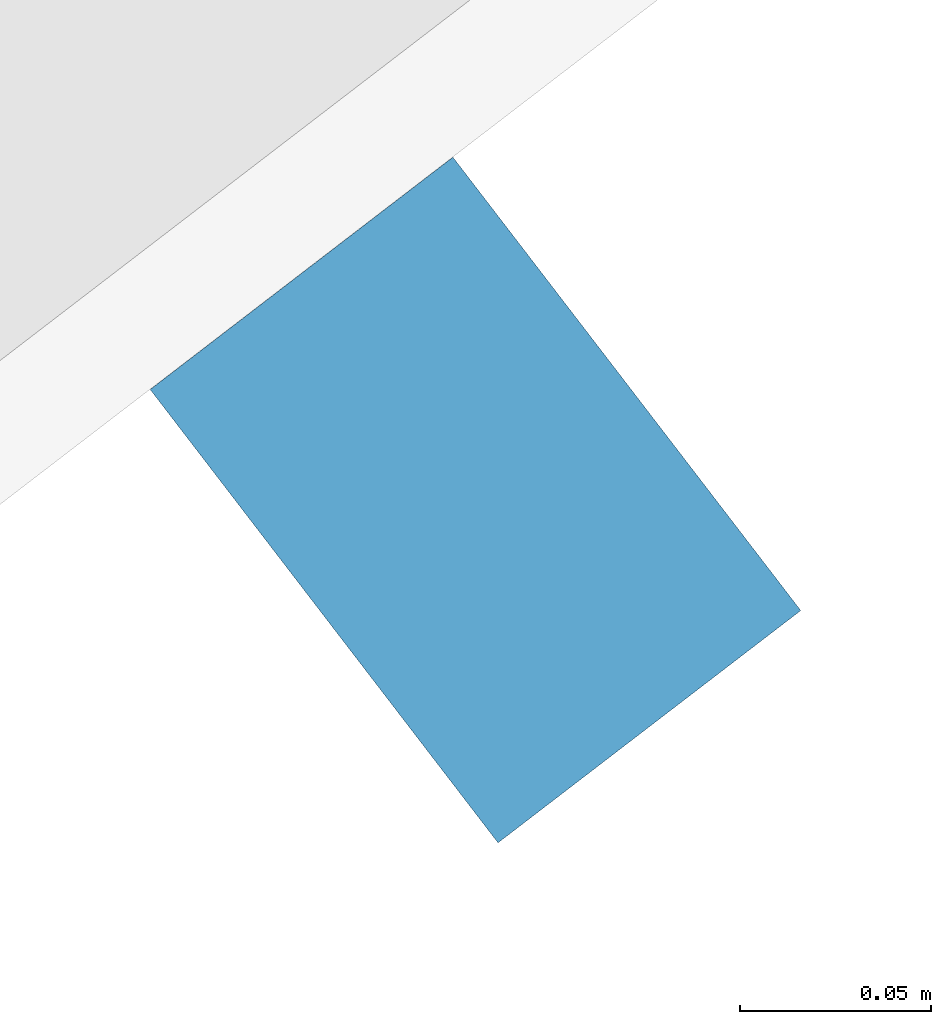
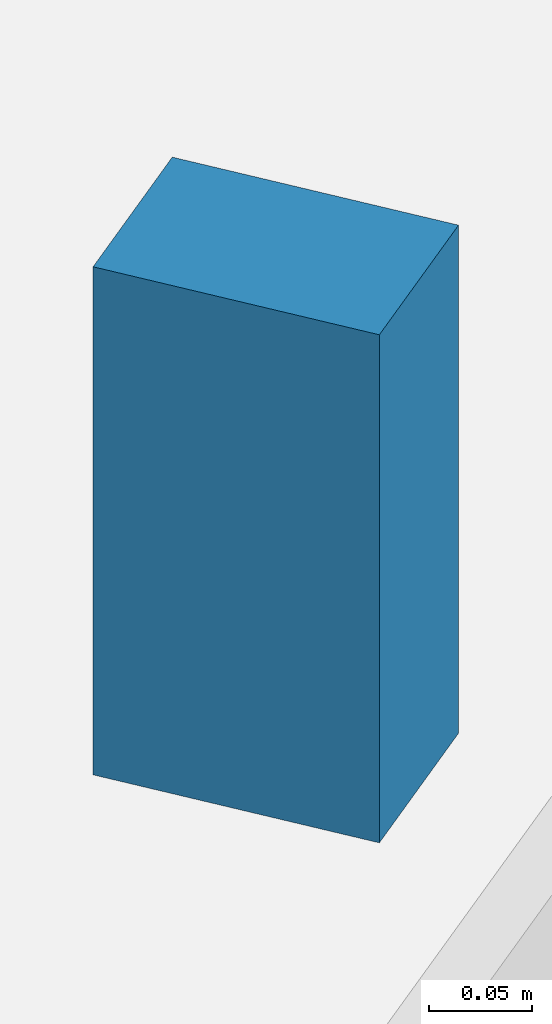
# One storey, part 9 of 28: 1 discrete accessory.
"""IFC4 building model written with IfcOpenShell, lengths in metres."""

from ifc_helpers import new_model, si_unit, direction, frame, origin, origin_2d, place, context, subcontext, project, spatial, rectangle, extrude, material, type_object, element, save


model = new_model("IFC4")

# Units and contexts
model_context = context("Model", 3, precision=1e-05, world=origin(), true_north=direction((0.0, 1.0)))
body_context = subcontext(model_context, "Body", "Model", "MODEL_VIEW")
ifc_project = project(units=[si_unit("LENGTHUNIT", "METRE"), si_unit("AREAUNIT", "SQUARE_METRE"), si_unit("VOLUMEUNIT", "CUBIC_METRE"), si_unit("PLANEANGLEUNIT", "RADIAN"), si_unit("MASSUNIT", "GRAM", prefix="KILO")], contexts=[model_context])

# Site, building, storey
site_placement = place(None, origin())
site = spatial("IfcSite", under=ifc_project, at=site_placement, CompositionType="ELEMENT")
building_placement = place(site_placement, origin())
building = spatial("IfcBuilding", under=site, at=building_placement, Name="Qamariyya Broadcast Tower", CompositionType="ELEMENT")
storey_placement = place(building_placement, frame((0.0, 0.0, 215.10009765625)))
storey = spatial("IfcBuildingStorey", under=building, at=storey_placement, Name="L51", CompositionType="ELEMENT", Elevation=215.10009765625)

# Discrete accessory
ifc_material = material(Name="Stainless steel 316", Category="steel")
discrete_accessory_type = type_object("IfcDiscreteAccessoryType", Name="Slab edge fixing angle, stainless steel", PredefinedType="BRACKET", material=ifc_material)
discrete_accessory_placement = place(storey_placement, frame((44.761474609375, -64.671630859375, 3.2998046875), z_axis=(0.0, 0.0, 1.0), x_axis=(0.793353340291, 0.608761429009, 0.0)))
element("IfcDiscreteAccessory", 1, at=discrete_accessory_placement, inside=storey, type_object=discrete_accessory_type, Name="e-br-L51-13-0", PredefinedType="BRACKET", context=body_context, shape_type="SweptSolid", body=[
    extrude(rectangle(XDim=0.10009765625, YDim=0.14990234375, at=origin_2d()), origin(), (0.0, 0.0, 1.0), 0.300048828125),
])

save(model, "model.ifc")
